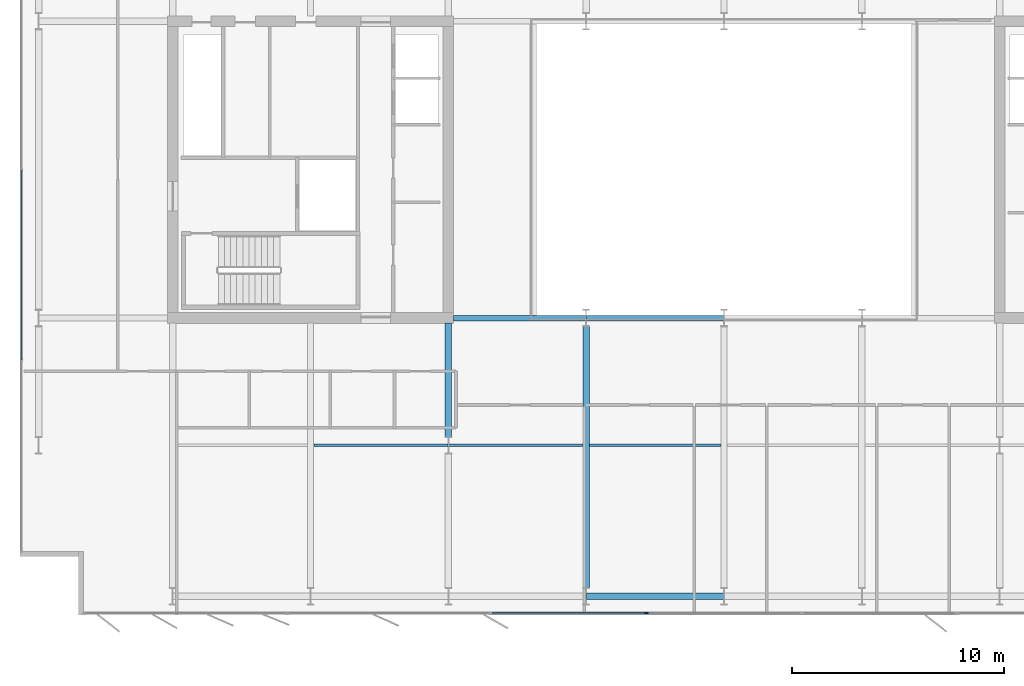
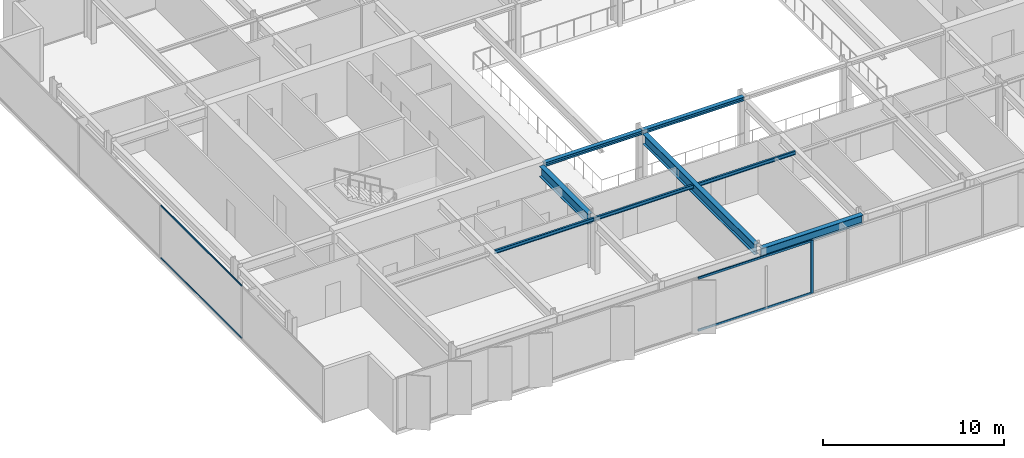
# One storey, part 4 of 24: 8 beams, 5 members, 2 elements without a shape of their own.
"""IFC4 building model written with IfcOpenShell, lengths in metres."""

from ifc_helpers import new_model, si_unit, direction, frame, origin, origin_2d, place, context, subcontext, project, spatial, rectangle, i_section, extrude, material, layer, layer_set, material_profile, profile_set, type_object, element, aggregate, save


model = new_model("IFC4")

# Units and contexts
model_context = context("Model", 3, precision=1e-05, world=origin(), true_north=direction((0.0, 1.0)))
body_context = subcontext(model_context, "Body", "Model", "MODEL_VIEW")
ifc_project = project(units=[si_unit("LENGTHUNIT", "METRE"), si_unit("AREAUNIT", "SQUARE_METRE"), si_unit("VOLUMEUNIT", "CUBIC_METRE"), si_unit("PLANEANGLEUNIT", "RADIAN"), si_unit("MASSUNIT", "GRAM", prefix="KILO")], contexts=[model_context])

# Site, building, storey
site_placement = place(None, origin())
site = spatial("IfcSite", under=ifc_project, at=site_placement, CompositionType="ELEMENT")
building_placement = place(site_placement, origin())
building = spatial("IfcBuilding", under=site, at=building_placement, Name="Putna Gate Headquarters", CompositionType="ELEMENT")
storey_placement = place(building_placement, frame((0.0, 0.0, 240.39990234375)))
storey = spatial("IfcBuildingStorey", under=building, at=storey_placement, Name="L60", CompositionType="ELEMENT", Elevation=240.39990234375)

# Beams
ifc_material_1 = material(Name="Steel S355J2", Category="steel")
ifc_material_profile_1 = material_profile(ifc_material_1, i_section(OverallWidth=0.260009765625, OverallDepth=0.260009765625, WebThickness=0.010009765625, FlangeThickness=0.017578125, at=origin_2d()), Name="Steel S355J2")
ifc_profile_set_1 = profile_set([ifc_material_profile_1], Name="Steel S355J2")
beam_type_1 = type_object("IfcBeamType", Name="BM-ATRIUM-HEB260", PredefinedType="BEAM", material=ifc_profile_set_1)
beam_1_placement = place(storey_placement, frame((26.235107421875, 19.0, 3.4501953125), z_axis=(1.0, 0.0, 0.0), x_axis=(0.0, 1.0, 0.0)))
element("IfcBeam", 1, at=beam_1_placement, inside=storey, type_object=beam_type_1, Name="L60 Atrium Edge Beam AS1", PredefinedType="BEAM", context=body_context, shape_type="SweptSolid", body=[
    extrude(i_section(OverallWidth=0.260009765625, OverallDepth=0.260009765625, WebThickness=0.010009765625, FlangeThickness=0.017578125, at=origin_2d()), origin(), (0.0, 0.0, 1.0), 6.2587890625),
])
beam_2_placement = place(storey_placement, frame((32.506103515625, 19.0, 3.4501953125), z_axis=(1.0, 0.0, 0.0), x_axis=(0.0, 1.0, 0.0)))
element("IfcBeam", 2, at=beam_2_placement, inside=storey, type_object=beam_type_1, Name="L60 Atrium Edge Beam AS2", PredefinedType="BEAM", context=body_context, shape_type="SweptSolid", body=[
    extrude(i_section(OverallWidth=0.260009765625, OverallDepth=0.260009765625, WebThickness=0.010009765625, FlangeThickness=0.017578125, at=origin_2d()), origin(), (0.0, 0.0, 1.0), 6.48779296875),
])
ifc_material_profile_2 = material_profile(ifc_material_1, i_section(OverallWidth=0.300048828125, OverallDepth=0.699951171875, WebThickness=0.01708984375, FlangeThickness=0.031982421875, at=origin_2d()), Name="Steel S355J2")
ifc_profile_set_2 = profile_set([ifc_material_profile_2], Name="Steel S355J2")
beam_type_2 = type_object("IfcBeamType", Name="BM-GIRD-B-HEB700", PredefinedType="USERDEFINED", material=ifc_profile_set_2)
beam_3_placement = place(storey_placement, frame((26.0, 13.39501953125, 3.22998046875), z_axis=(0.0, 1.0, 0.0), x_axis=(-1.0, 0.0, 0.0)))
element("IfcBeam", 3, at=beam_3_placement, inside=storey, type_object=beam_type_2, Name="L60 South Primary Girder X26-2", ObjectType="GIRDER", PredefinedType="USERDEFINED", context=body_context, shape_type="SweptSolid", body=[
    extrude(i_section(OverallWidth=0.300048828125, OverallDepth=0.699951171875, WebThickness=0.01708984375, FlangeThickness=0.031982421875, at=origin_2d()), origin(), (0.0, 0.0, 1.0), 5.369873046875),
])
beam_4_placement = place(storey_placement, frame((32.5, 6.27490234375, 3.22998046875), z_axis=(0.0, 1.0, 0.0), x_axis=(-1.0, 0.0, 0.0)))
element("IfcBeam", 4, at=beam_4_placement, inside=storey, type_object=beam_type_2, Name="L60 South Primary Girder X32", ObjectType="GIRDER", PredefinedType="USERDEFINED", context=body_context, shape_type="SweptSolid", body=[
    extrude(i_section(OverallWidth=0.300048828125, OverallDepth=0.699951171875, WebThickness=0.01708984375, FlangeThickness=0.031982421875, at=origin_2d()), origin(), (0.0, 0.0, 1.0), 12.330078125),
])
ifc_material_profile_3 = material_profile(ifc_material_1, i_section(OverallWidth=0.1201171875, OverallDepth=0.239990234375, WebThickness=0.006103515625, FlangeThickness=0.009765625, at=origin_2d()), Name="Steel S355J2")
ifc_profile_set_3 = profile_set([ifc_material_profile_3], Name="Steel S355J2")
beam_type_3 = type_object("IfcBeamType", Name="BM-SEC-Z4-IPE240", PredefinedType="JOIST", material=ifc_profile_set_3)
for number, where, z_axis, x_axis, name in (
    (5, (19.654052734375, 13.0, 3.460205078125), (1.0, 0.0, 0.0), (0.0, 1.0, 0.0), "L60 South Secondary Beam 2"),
    (6, (26.006103515625, 13.0, 3.460205078125), (1.0, 0.0, 0.0), (0.0, 1.0, 0.0), "L60 South Secondary Beam 3"),
):
    element("IfcBeam", number, at=place(storey_placement, frame(where, z_axis=z_axis, x_axis=x_axis)), inside=storey, type_object=beam_type_3, Name=name, PredefinedType="JOIST", context=body_context, shape_type="SweptSolid", body=[
        extrude(i_section(OverallWidth=0.1201171875, OverallDepth=0.239990234375, WebThickness=0.006103515625, FlangeThickness=0.009765625, at=origin_2d()), origin(), (0.0, 0.0, 1.0), 6.33984375),
    ])
beam_5_placement = place(storey_placement, frame((32.654052734375, 13.0, 3.460205078125), z_axis=(1.0, 0.0, 0.0), x_axis=(0.0, 1.0, 0.0)))
element("IfcBeam", 7, at=beam_5_placement, inside=storey, type_object=beam_type_3, Name="L60 South Secondary Beam 4", PredefinedType="JOIST", context=body_context, shape_type="SweptSolid", body=[
    extrude(i_section(OverallWidth=0.1201171875, OverallDepth=0.239990234375, WebThickness=0.006103515625, FlangeThickness=0.009765625, at=origin_2d()), origin(), (0.0, 0.0, 1.0), 6.19189453125),
])
ifc_material_profile_4 = material_profile(ifc_material_1, i_section(OverallWidth=0.300048828125, OverallDepth=0.590087890625, WebThickness=0.012939453125, FlangeThickness=0.02490234375, at=origin_2d()), Name="Steel S355J2")
ifc_profile_set_4 = profile_set([ifc_material_profile_4], Name="Steel S355J2")
beam_type_4 = type_object("IfcBeamType", Name="BM-SPAN-Z4-HEA600", PredefinedType="SPANDREL", material=ifc_profile_set_4)
beam_6_placement = place(storey_placement, frame((32.506103515625, 5.8798828125, 3.28515625), z_axis=(1.0, 0.0, 0.0), x_axis=(0.0, 1.0, 0.0)))
element("IfcBeam", 8, at=beam_6_placement, inside=storey, type_object=beam_type_4, Name="L60 S Perimeter Spandrel 4", PredefinedType="SPANDREL", context=body_context, shape_type="SweptSolid", body=[
    extrude(i_section(OverallWidth=0.300048828125, OverallDepth=0.590087890625, WebThickness=0.012939453125, FlangeThickness=0.02490234375, at=origin_2d()), origin(), (0.0, 0.0, 1.0), 6.48779296875),
])

# Curtain wall, member
ifc_material_2 = material(Name="Anodised bronze aluminium curtain wall", Category="aluminium")
ifc_layer_1 = layer(ifc_material_2, 0.179931640625)
ifc_layer_set_1 = layer_set([ifc_layer_1], Name="Anodised bronze aluminium curtain wall")
curtain_wall_type_1 = type_object("IfcCurtainWallType", Name="CW-SYS-ATR", PredefinedType="USERDEFINED", material=ifc_layer_set_1)
curtain_wall_1_placement = place(storey_placement, origin())
curtain_wall_1 = element("IfcCurtainWall", 9, at=curtain_wall_1_placement, inside=storey, type_object=curtain_wall_type_1, Name="L60 South Atrium Clear Glazing", ObjectType="ATRIUM GLAZING", PredefinedType="USERDEFINED")
ifc_material_3 = material(Name="Anodised bronze aluminium EN AW-6060", Category="aluminium")
ifc_material_profile_5 = material_profile(ifc_material_3, rectangle(XDim=0.070068359375, YDim=0.179931640625, at=origin_2d()), Name="Anodised bronze aluminium EN AW-6060")
ifc_profile_set_5 = profile_set([ifc_material_profile_5], Name="Anodised bronze aluminium EN AW-6060")
member_type_1 = type_object("IfcMemberType", Name="MULL-CWM-AT", PredefinedType="MULLION", material=ifc_profile_set_5)
member_1_placement = place(storey_placement, frame((35.333251953125, 5.080078125, 0.0), z_axis=(0.0, 0.0, 1.0), x_axis=(0.0, 1.0, 0.0)))
member_1 = element("IfcMember", 10, at=member_1_placement, type_object=member_type_1, Name="CWS-AT mullion 2", PredefinedType="MULLION", context=body_context, shape_type="SweptSolid", body=[
    extrude(rectangle(XDim=0.070068359375, YDim=0.179931640625, at=origin_2d()), origin(), (0.0, 0.0, 1.0), 3.580078125),
])

# Curtain wall, members
ifc_layer_2 = layer(ifc_material_2, 0.139892578125)
ifc_layer_set_2 = layer_set([ifc_layer_2], Name="Anodised bronze aluminium curtain wall")
curtain_wall_type_2 = type_object("IfcCurtainWallType", Name="CW-SYS-Z4", PredefinedType="USERDEFINED", material=ifc_layer_set_2)
curtain_wall_2_placement = place(storey_placement, origin())
curtain_wall_2 = element("IfcCurtainWall", 11, at=curtain_wall_2_placement, inside=storey, type_object=curtain_wall_type_2, Name="L60 West Curtain Wall", ObjectType="STICK CURTAIN WALL", PredefinedType="USERDEFINED")
ifc_material_profile_6 = material_profile(ifc_material_3, rectangle(XDim=0.06005859375, YDim=0.10009765625, at=origin_2d()), Name="Anodised bronze aluminium EN AW-6060")
ifc_profile_set_6 = profile_set([ifc_material_profile_6], Name="Anodised bronze aluminium EN AW-6060")
member_type_2 = type_object("IfcMemberType", Name="TRAN-CWT-4", PredefinedType="USERDEFINED", material=ifc_profile_set_6)
member_2_placement = place(storey_placement, frame((5.8798828125, 17.030029296875, 0.030029296875), z_axis=(0.0, 1.0, 0.0), x_axis=(-1.0, 0.0, 0.0)))
member_2 = element("IfcMember", 12, at=member_2_placement, type_object=member_type_2, Name="CWS-4 transom 2.1", ObjectType="TRANSOM", PredefinedType="USERDEFINED", context=body_context, shape_type="SweptSolid", body=[
    extrude(rectangle(XDim=0.06005859375, YDim=0.10009765625, at=origin_2d()), origin(), (0.0, 0.0, 1.0), 8.93994140625),
])
member_3_placement = place(storey_placement, frame((5.8798828125, 17.030029296875, 3.550048828125), z_axis=(0.0, 1.0, 0.0), x_axis=(-1.0, 0.0, 0.0)))
member_3 = element("IfcMember", 13, at=member_3_placement, type_object=member_type_2, Name="CWS-4 transom 2.2", ObjectType="TRANSOM", PredefinedType="USERDEFINED", context=body_context, shape_type="SweptSolid", body=[
    extrude(rectangle(XDim=0.06005859375, YDim=0.10009765625, at=origin_2d()), origin(), (0.0, 0.0, 1.0), 8.93994140625),
])
aggregate(curtain_wall_2, [member_2, member_3])

# Member
ifc_material_profile_7 = material_profile(ifc_material_3, rectangle(XDim=0.070068359375, YDim=0.139892578125, at=origin_2d()), Name="Anodised bronze aluminium EN AW-6060")
ifc_profile_set_7 = profile_set([ifc_material_profile_7], Name="Anodised bronze aluminium EN AW-6060")
member_type_3 = type_object("IfcMemberType", Name="TRAN-CWT-AT", PredefinedType="USERDEFINED", material=ifc_profile_set_7)
member_4_placement = place(storey_placement, frame((28.070068359375, 5.080078125, 0.03515625), z_axis=(1.0, 0.0, 0.0), x_axis=(0.0, 1.0, 0.0)))
member_4 = element("IfcMember", 14, at=member_4_placement, type_object=member_type_3, Name="CWS-AT transom 1.1", ObjectType="TRANSOM", PredefinedType="USERDEFINED", context=body_context, shape_type="SweptSolid", body=[
    extrude(rectangle(XDim=0.070068359375, YDim=0.139892578125, at=origin_2d()), origin(), (0.0, 0.0, 1.0), 7.228271484375),
])

member_5_placement = place(storey_placement, frame((28.070068359375, 5.080078125, 3.545166015625), z_axis=(1.0, 0.0, 0.0), x_axis=(0.0, 1.0, 0.0)))
member_5 = element("IfcMember", 15, at=member_5_placement, type_object=member_type_3, Name="CWS-AT transom 1.2", ObjectType="TRANSOM", PredefinedType="USERDEFINED", context=body_context, shape_type="SweptSolid", body=[
    extrude(rectangle(XDim=0.070068359375, YDim=0.139892578125, at=origin_2d()), origin(), (0.0, 0.0, 1.0), 7.228271484375),
])

aggregate(curtain_wall_1, [member_1, member_4, member_5])

save(model, "model.ifc")
